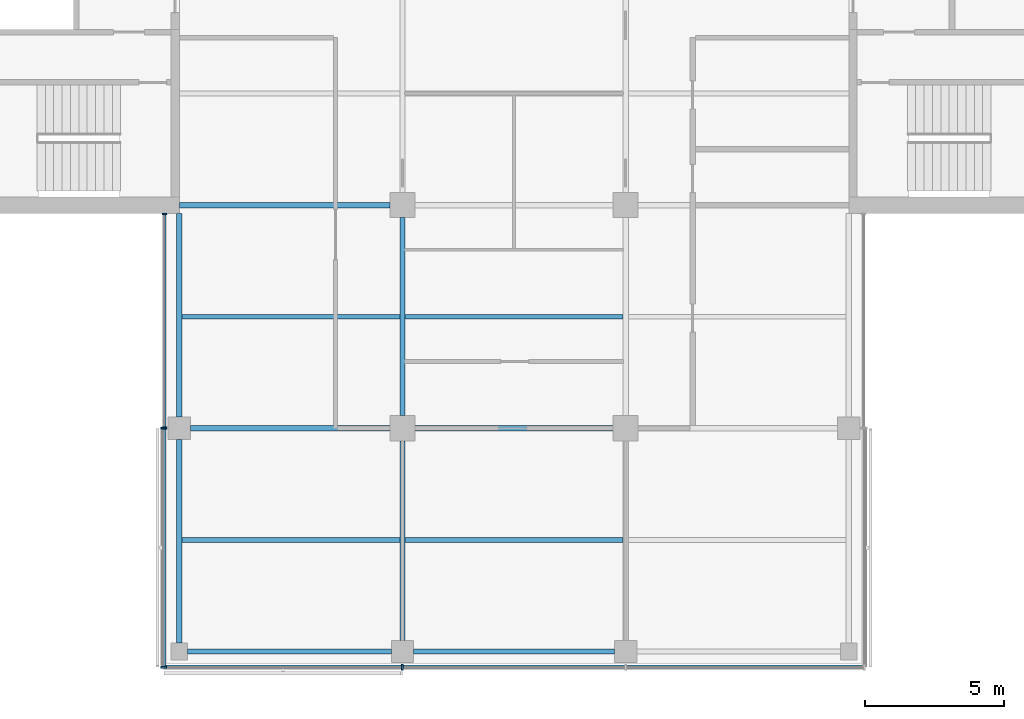
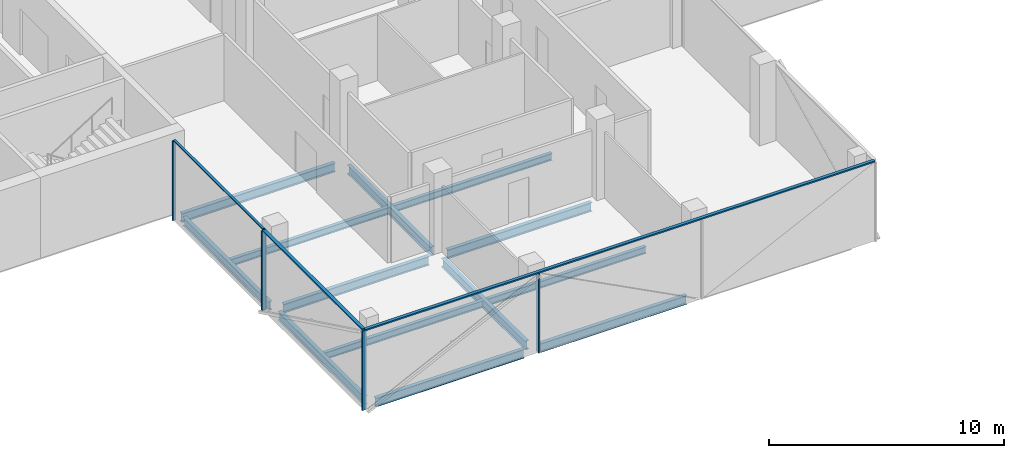
# One storey, part 2 of 15: 13 beams, 8 members, 3 elements without a shape of their own.
"""IFC4 building model written with IfcOpenShell, lengths in metres."""

from ifc_helpers import new_model, si_unit, direction, frame, origin, origin_2d, place, context, subcontext, project, spatial, rectangle, i_section, extrude, material, material_profile, profile_set, type_object, element, aggregate, save


model = new_model("IFC4")

# Units and contexts
model_context = context("Model", 3, precision=1e-05, world=origin(), true_north=direction((0.0, 1.0)))
body_context = subcontext(model_context, "Body", "Model", "MODEL_VIEW")
ifc_project = project(units=[si_unit("LENGTHUNIT", "METRE"), si_unit("AREAUNIT", "SQUARE_METRE"), si_unit("VOLUMEUNIT", "CUBIC_METRE"), si_unit("PLANEANGLEUNIT", "RADIAN"), si_unit("MASSUNIT", "GRAM", prefix="KILO")], contexts=[model_context])

# Site, building, storey
site_placement = place(None, origin())
site = spatial("IfcSite", under=ifc_project, at=site_placement, CompositionType="ELEMENT")
building_placement = place(site_placement, origin())
building = spatial("IfcBuilding", under=site, at=building_placement, Name="Crosswind Convention Tower", CompositionType="ELEMENT")
storey_placement = place(building_placement, frame((0.0, 0.0, 183.10009765625)))
storey = spatial("IfcBuildingStorey", under=building, at=storey_placement, Name="L38", CompositionType="ELEMENT", Elevation=183.10009765625)

# Beams
ifc_material_1 = material(Name="Steel S355", Category="steel")
ifc_material_profile_1 = material_profile(ifc_material_1, i_section(OverallWidth=0.18994140625, OverallDepth=0.45361328125, WebThickness=0.008544921875, FlangeThickness=0.0126953125, FilletRadius=0.01025390625, at=origin_2d()), Name="UB 457x191x67")
ifc_profile_set_1 = profile_set([ifc_material_profile_1], Name="Steel S355")
beam_type_1 = type_object("IfcBeamType", Name="Edge beam UB 457x191x67", PredefinedType="SPANDREL", material=ifc_profile_set_1)
for number, where, z_axis, x_axis, name in (
    (1, (113.0, 72.300048828125, -0.52685546875), (0.0, 1.0, 0.0), (-1.0, 0.0, 0.0), "B16 L38 edge beam 1"),
    (2, (113.0, 80.39990234375, -0.52685546875), (0.0, 1.0, 0.0), (-1.0, 0.0, 0.0), "B16 L38 edge beam 2"),
    (3, (113.300048828125, 72.0, -0.52685546875), (1.0, 0.0, 0.0), (0.0, 1.0, 0.0), "B16 L38 edge beam 5"),
):
    element("IfcBeam", number, at=place(storey_placement, frame(where, z_axis=z_axis, x_axis=x_axis)), inside=storey, type_object=beam_type_1, Name=name, PredefinedType="SPANDREL", context=body_context, shape_type="SweptSolid", body=[
        extrude(i_section(OverallWidth=0.18994140625, OverallDepth=0.45361328125, WebThickness=0.008544921875, FlangeThickness=0.0126953125, FilletRadius=0.01025390625, at=origin_2d()), origin(), (0.0, 0.0, 1.0), 7.300048828125),
    ])
beam_1_placement = place(storey_placement, frame((121.39990234375, 72.0, -0.52685546875), z_axis=(1.0, 0.0, 0.0), x_axis=(0.0, 1.0, 0.0)))
element("IfcBeam", 4, at=beam_1_placement, inside=storey, type_object=beam_type_1, Name="B16 L38 edge beam 7", PredefinedType="SPANDREL", context=body_context, shape_type="SweptSolid", body=[
    extrude(i_section(OverallWidth=0.18994140625, OverallDepth=0.45361328125, WebThickness=0.008544921875, FlangeThickness=0.0126953125, FilletRadius=0.01025390625, at=origin_2d()), origin(), (0.0, 0.0, 1.0), 7.2001953125),
])
ifc_material_profile_2 = material_profile(ifc_material_1, i_section(OverallWidth=0.1904296875, OverallDepth=0.457275390625, WebThickness=0.009033203125, FlangeThickness=0.014404296875, FilletRadius=0.01025390625, at=origin_2d()), Name="UB 457x191x75")
ifc_profile_set_2 = profile_set([ifc_material_profile_2], Name="Steel S355")
beam_type_2 = type_object("IfcBeamType", Name="Girder UB 457x191x75", PredefinedType="BEAM", material=ifc_profile_set_2)
for number, where, z_axis, x_axis, name in (
    (5, (113.39990234375, 80.0, -0.52880859375), (1.0, 0.0, 0.0), (0.0, 1.0, 0.0), "B2 L38 girder 1"),
    (6, (121.0, 72.39990234375, -0.52880859375), (0.0, 1.0, 0.0), (-1.0, 0.0, 0.0), "B2 L38 girder 3"),
):
    element("IfcBeam", number, at=place(storey_placement, frame(where, z_axis=z_axis, x_axis=x_axis)), inside=storey, type_object=beam_type_2, Name=name, PredefinedType="BEAM", context=body_context, shape_type="SweptSolid", body=[
        extrude(i_section(OverallWidth=0.1904296875, OverallDepth=0.457275390625, WebThickness=0.009033203125, FlangeThickness=0.014404296875, FilletRadius=0.01025390625, at=origin_2d()), origin(), (0.0, 0.0, 1.0), 7.150146484375),
    ])
for number, where, z_axis, x_axis, name in (
    (7, (121.0, 80.449951171875, -0.52880859375), (0.0, 1.0, 0.0), (-1.0, 0.0, 0.0), "B2 L38 girder 4"),
    (8, (121.449951171875, 80.0, -0.52880859375), (1.0, 0.0, 0.0), (0.0, 1.0, 0.0), "B2 L38 girder 10"),
):
    element("IfcBeam", number, at=place(storey_placement, frame(where, z_axis=z_axis, x_axis=x_axis)), inside=storey, type_object=beam_type_2, Name=name, PredefinedType="BEAM", context=body_context, shape_type="SweptSolid", body=[
        extrude(i_section(OverallWidth=0.1904296875, OverallDepth=0.457275390625, WebThickness=0.009033203125, FlangeThickness=0.014404296875, FilletRadius=0.01025390625, at=origin_2d()), origin(), (0.0, 0.0, 1.0), 7.10009765625),
    ])
ifc_material_profile_3 = material_profile(ifc_material_1, i_section(OverallWidth=0.19140625, OverallDepth=0.460205078125, WebThickness=0.010009765625, FlangeThickness=0.01611328125, FilletRadius=0.01025390625, at=origin_2d()), Name="UB 457x191x82")
ifc_profile_set_3 = profile_set([ifc_material_profile_3], Name="Steel S355")
beam_type_3 = type_object("IfcBeamType", Name="Girder at core wall UB 457x191x82", PredefinedType="BEAM", material=ifc_profile_set_3)
beam_2_placement = place(storey_placement, frame((113.0, 88.0, -0.5302734375), z_axis=(1.0, 0.0, 0.0), x_axis=(0.0, 1.0, 0.0)))
element("IfcBeam", 9, at=beam_2_placement, inside=storey, type_object=beam_type_3, Name="B23 L38 girder at core wall 1", PredefinedType="BEAM", context=body_context, shape_type="SweptSolid", body=[
    extrude(i_section(OverallWidth=0.19140625, OverallDepth=0.460205078125, WebThickness=0.010009765625, FlangeThickness=0.01611328125, FilletRadius=0.01025390625, at=origin_2d()), origin(), (0.0, 0.0, 1.0), 7.550048828125),
])

# Curtain wall, members
ifc_material_2 = material(Name="Aluminium unitised curtain wall", Category="aluminium")
curtain_wall_type_1 = type_object("IfcCurtainWallType", Name="CORE END SLOT WALL 160", PredefinedType="USERDEFINED", material=ifc_material_2)
curtain_wall_1_placement = place(storey_placement, origin())
curtain_wall_1 = element("IfcCurtainWall", 10, at=curtain_wall_1_placement, inside=storey, type_object=curtain_wall_type_1, Name="CW6 L38 S-W.1-1 slot", ObjectType="UNITISED", PredefinedType="USERDEFINED")
ifc_material_3 = material(Name="Aluminium mullion", Category="aluminium")
ifc_material_profile_4 = material_profile(ifc_material_3, rectangle(XDim=0.159912109375, YDim=0.050048828125, at=origin_2d()), Name="AL 160X50")
ifc_profile_set_4 = profile_set([ifc_material_profile_4], Name="Aluminium mullion")
member_type_1 = type_object("IfcMemberType", Name="MULLION 50X160", PredefinedType="MULLION", material=ifc_profile_set_4)
member_1_placement = place(storey_placement, frame((112.469970703125, 87.675048828125, -0.300048828125), z_axis=(0.0, 0.0, 1.0), x_axis=(-1.0, 0.0, 0.0)))
member_1 = element("IfcMember", 11, at=member_1_placement, type_object=member_type_1, Name="CW6 mullion 1", PredefinedType="MULLION", context=body_context, shape_type="SweptSolid", body=[
    extrude(rectangle(XDim=0.159912109375, YDim=0.050048828125, at=origin_2d()), origin(), (0.0, 0.0, 1.0), 4.14990234375),
])
member_2_placement = place(storey_placement, frame((112.469970703125, 80.02490234375, -0.300048828125), z_axis=(0.0, 0.0, 1.0), x_axis=(-1.0, 0.0, 0.0)))
member_2 = element("IfcMember", 12, at=member_2_placement, type_object=member_type_1, Name="CW6 mullion 2", PredefinedType="MULLION", context=body_context, shape_type="SweptSolid", body=[
    extrude(rectangle(XDim=0.159912109375, YDim=0.050048828125, at=origin_2d()), origin(), (0.0, 0.0, 1.0), 4.14990234375),
])

curtain_wall_type_2 = type_object("IfcCurtainWallType", Name="OFFICE UNITISED WALL 220", PredefinedType="USERDEFINED", material=ifc_material_2)
curtain_wall_2_placement = place(storey_placement, origin())
curtain_wall_2 = element("IfcCurtainWall", 13, at=curtain_wall_2_placement, inside=storey, type_object=curtain_wall_type_2, Name="CW3 L38 S-W 1", ObjectType="UNITISED", PredefinedType="USERDEFINED")
ifc_material_profile_5 = material_profile(ifc_material_3, rectangle(XDim=0.219970703125, YDim=0.070068359375, at=origin_2d()), Name="AL 220X70")
ifc_profile_set_5 = profile_set([ifc_material_profile_5], Name="Aluminium mullion")
member_type_2 = type_object("IfcMemberType", Name="MULLION 70X220", PredefinedType="MULLION", material=ifc_profile_set_5)
member_3_placement = place(storey_placement, frame((112.43994140625, 80.0, -0.300048828125), z_axis=(0.0, 0.0, 1.0), x_axis=(-1.0, 0.0, 0.0)))
member_3 = element("IfcMember", 14, at=member_3_placement, type_object=member_type_2, Name="CW3 mullion 1", PredefinedType="MULLION", context=body_context, shape_type="SweptSolid", body=[
    extrude(rectangle(XDim=0.219970703125, YDim=0.070068359375, at=origin_2d()), origin(), (0.0, 0.0, 1.0), 4.1298828125),
])
member_4_placement = place(storey_placement, frame((112.43994140625, 71.43994140625, -0.300048828125), z_axis=(0.0, 0.0, 1.0), x_axis=(-1.0, 0.0, 0.0)))
member_4 = element("IfcMember", 15, at=member_4_placement, type_object=member_type_2, Name="CW3 mullion 2", PredefinedType="MULLION", context=body_context, shape_type="SweptSolid", body=[
    extrude(rectangle(XDim=0.219970703125, YDim=0.070068359375, at=origin_2d()), origin(), (0.0, 0.0, 1.0), 4.1298828125),
])

# Curtain wall, member
curtain_wall_3_placement = place(storey_placement, origin())
curtain_wall_3 = element("IfcCurtainWall", 16, at=curtain_wall_3_placement, inside=storey, type_object=curtain_wall_type_2, Name="CW3 L38 S-TIP 1", ObjectType="UNITISED", PredefinedType="USERDEFINED")
member_5_placement = place(storey_placement, frame((121.0, 71.43994140625, -0.300048828125), z_axis=(0.0, 0.0, 1.0), x_axis=(0.0, -1.0, 0.0)))
member_5 = element("IfcMember", 17, at=member_5_placement, type_object=member_type_2, Name="CW3 mullion 2", PredefinedType="MULLION", context=body_context, shape_type="SweptSolid", body=[
    extrude(rectangle(XDim=0.219970703125, YDim=0.070068359375, at=origin_2d()), origin(), (0.0, 0.0, 1.0), 4.1298828125),
])

# Beams
ifc_material_profile_6 = material_profile(ifc_material_1, i_section(OverallWidth=0.172119140625, OverallDepth=0.358642578125, WebThickness=0.008056640625, FlangeThickness=0.012939453125, FilletRadius=0.01025390625, at=origin_2d()), Name="UB 356x171x57")
ifc_profile_set_6 = profile_set([ifc_material_profile_6], Name="Steel S355")
beam_type_4 = type_object("IfcBeamType", Name="Secondary beam UB 356x171x57", PredefinedType="JOIST", material=ifc_profile_set_6)
for number, where, z_axis, x_axis, name in (
    (18, (113.094970703125, 76.0, -0.4794921875), (1.0, 0.0, 0.0), (0.0, 1.0, 0.0), "B9 L38 secondary beam 4"),
    (19, (113.094970703125, 84.0, -0.4794921875), (1.0, 0.0, 0.0), (0.0, 1.0, 0.0), "B9 L38 secondary beam 5"),
):
    element("IfcBeam", number, at=place(storey_placement, frame(where, z_axis=z_axis, x_axis=x_axis)), inside=storey, type_object=beam_type_4, Name=name, PredefinedType="JOIST", context=body_context, shape_type="SweptSolid", body=[
        extrude(i_section(OverallWidth=0.172119140625, OverallDepth=0.358642578125, WebThickness=0.008056640625, FlangeThickness=0.012939453125, FilletRadius=0.01025390625, at=origin_2d()), origin(), (0.0, 0.0, 1.0), 7.809814453125),
    ])
for number, where, z_axis, x_axis, name in (
    (20, (121.09521484375, 76.0, -0.4794921875), (1.0, 0.0, 0.0), (0.0, 1.0, 0.0), "B9 L38 secondary beam 8"),
    (21, (121.09521484375, 84.0, -0.4794921875), (1.0, 0.0, 0.0), (0.0, 1.0, 0.0), "B9 L38 secondary beam 9"),
):
    element("IfcBeam", number, at=place(storey_placement, frame(where, z_axis=z_axis, x_axis=x_axis)), inside=storey, type_object=beam_type_4, Name=name, PredefinedType="JOIST", context=body_context, shape_type="SweptSolid", body=[
        extrude(i_section(OverallWidth=0.172119140625, OverallDepth=0.358642578125, WebThickness=0.008056640625, FlangeThickness=0.012939453125, FilletRadius=0.01025390625, at=origin_2d()), origin(), (0.0, 0.0, 1.0), 7.8095703125),
    ])

# Member
ifc_material_4 = material(Name="Aluminium transom", Category="aluminium")
ifc_material_profile_7 = material_profile(ifc_material_4, rectangle(XDim=0.1201171875, YDim=0.050048828125, at=origin_2d()), Name="AL 120X50")
ifc_profile_set_7 = profile_set([ifc_material_profile_7], Name="Aluminium transom")
member_type_3 = type_object("IfcMemberType", Name="TRANSOM 50X120", PredefinedType="USERDEFINED", material=ifc_profile_set_7)
member_6_placement = place(storey_placement, frame((112.469970703125, 87.64990234375, 3.875), z_axis=(0.0, -1.0, 0.0), x_axis=(1.0, 0.0, 0.0)))
member_6 = element("IfcMember", 22, at=member_6_placement, type_object=member_type_3, Name="CW6 transom", ObjectType="TRANSOM", PredefinedType="USERDEFINED", context=body_context, shape_type="SweptSolid", body=[
    extrude(rectangle(XDim=0.1201171875, YDim=0.050048828125, at=origin_2d()), origin(), (0.0, 0.0, 1.0), 7.599853515625),
])

aggregate(curtain_wall_1, [member_1, member_2, member_6])

ifc_material_profile_8 = material_profile(ifc_material_4, rectangle(XDim=0.159912109375, YDim=0.070068359375, at=origin_2d()), Name="AL 160X70")
ifc_profile_set_8 = profile_set([ifc_material_profile_8], Name="Aluminium transom")
member_type_4 = type_object("IfcMemberType", Name="TRANSOM 70X160", PredefinedType="USERDEFINED", material=ifc_profile_set_8)
member_7_placement = place(storey_placement, frame((112.43994140625, 79.965087890625, 3.864990234375), z_axis=(0.0, -1.0, 0.0), x_axis=(1.0, 0.0, 0.0)))
member_7 = element("IfcMember", 23, at=member_7_placement, type_object=member_type_4, Name="CW3 transom", ObjectType="TRANSOM", PredefinedType="USERDEFINED", context=body_context, shape_type="SweptSolid", body=[
    extrude(rectangle(XDim=0.159912109375, YDim=0.070068359375, at=origin_2d()), origin(), (0.0, 0.0, 1.0), 8.489990234375),
])

aggregate(curtain_wall_2, [member_3, member_4, member_7])

member_8_placement = place(storey_placement, frame((112.47509765625, 71.43994140625, 3.864990234375), z_axis=(1.0, 0.0, 0.0), x_axis=(0.0, 1.0, 0.0)))
member_8 = element("IfcMember", 24, at=member_8_placement, type_object=member_type_4, Name="CW3 transom", ObjectType="TRANSOM", PredefinedType="USERDEFINED", context=body_context, shape_type="SweptSolid", body=[
    extrude(rectangle(XDim=0.159912109375, YDim=0.070068359375, at=origin_2d()), origin(), (0.0, 0.0, 1.0), 25.0498046875),
])

aggregate(curtain_wall_3, [member_5, member_8])

save(model, "model.ifc")
